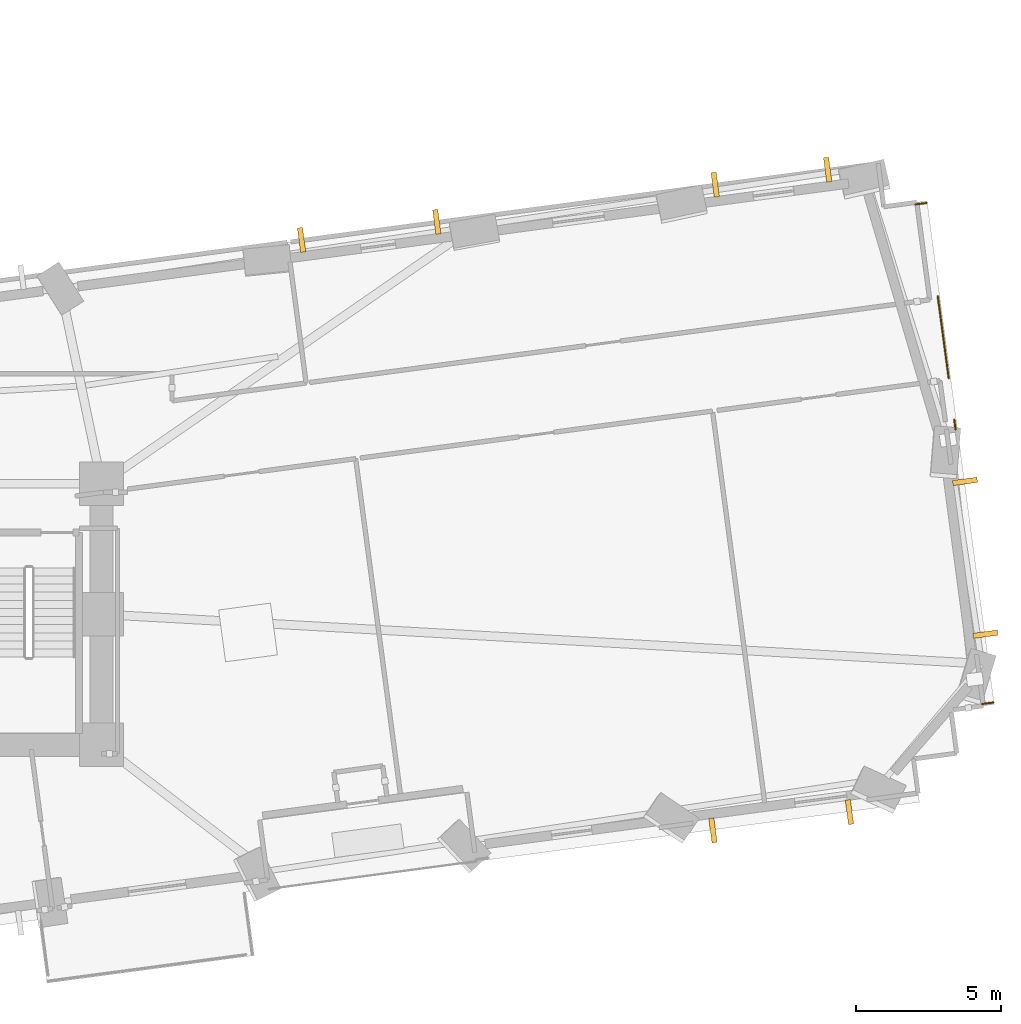
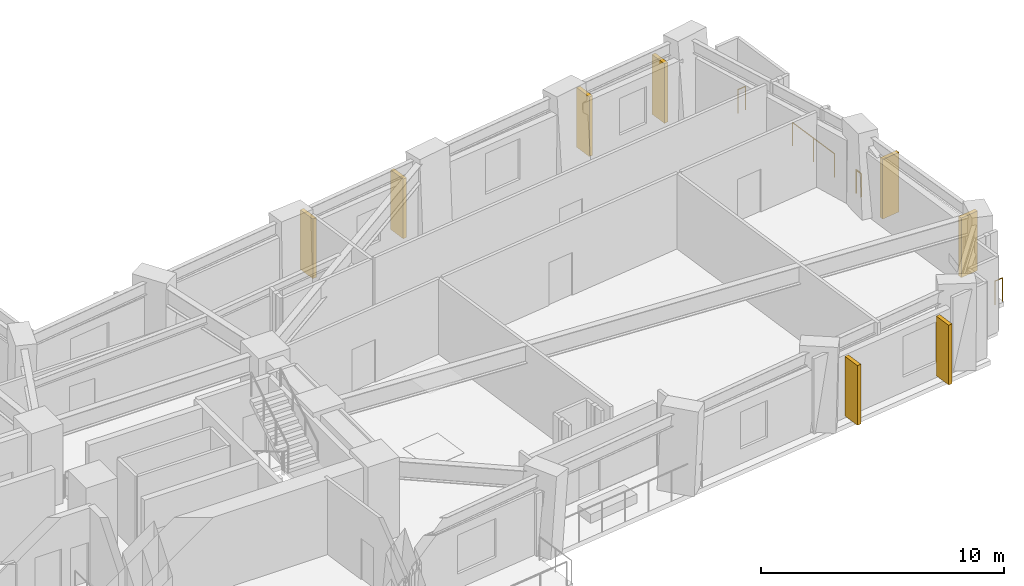
# One storey, part 13 of 14: 8 shading devices, 4 railings.
"""IFC4 building model written with IfcOpenShell, lengths in metres."""

from ifc_helpers import new_model, si_unit, direction, frame, origin, origin_2d, place, context, subcontext, project, spatial, rectangle, circle, extrude, material, layer, layer_set, type_object, element, save


model = new_model("IFC4")

# Units and contexts
model_context = context("Model", 3, precision=1e-05, world=origin(), true_north=direction((0.0, 1.0)))
body_context = subcontext(model_context, "Body", "Model", "MODEL_VIEW")
ifc_project = project(units=[si_unit("LENGTHUNIT", "METRE"), si_unit("AREAUNIT", "SQUARE_METRE"), si_unit("VOLUMEUNIT", "CUBIC_METRE"), si_unit("PLANEANGLEUNIT", "RADIAN"), si_unit("MASSUNIT", "GRAM", prefix="KILO")], contexts=[model_context])

# Site, building, storey
site_placement = place(None, origin())
site = spatial("IfcSite", under=ifc_project, at=site_placement, CompositionType="ELEMENT")
building_placement = place(site_placement, origin())
building = spatial("IfcBuilding", under=site, at=building_placement, Name="Gaonmaruhae Medical Tower", CompositionType="ELEMENT")
storey_placement = place(building_placement, frame((0.0, 0.0, 55.0)))
storey = spatial("IfcBuildingStorey", under=building, at=storey_placement, Name="L12", CompositionType="ELEMENT", Elevation=55.0)

# Railings
ifc_material_1 = material(Name="Stainless steel 316L and laminated safety glass", Category="steel")
ifc_layer = layer(ifc_material_1, 0.080078125)
ifc_layer_set = layer_set([ifc_layer], Name="Stainless steel 316L and laminated safety glass")
railing_type = type_object("IfcRailingType", Name="GD-120 Outdoor Terrace Safety Glass & Steel Balustrade", PredefinedType="BALUSTRADE", material=ifc_layer_set)
railing_1_placement = place(storey_placement, frame((63.63671875, 26.416748046875, 0.0)))
element("IfcRailing", 1, at=railing_1_placement, inside=storey, type_object=railing_type, Name="L12 Perimeter Slab Edge Safety Balustrade 03", PredefinedType="BALUSTRADE", context=body_context, shape_type="SweptSolid", body=[
    extrude(circle(Radius=0.02392578125, at=origin_2d()), frame((0.0, 0.0, 1.17578125), z_axis=(0.991222479082, 0.132204375732, 0.0), x_axis=(-0.132204375732, 0.991222479082, 0.0)), (0.0, 0.0, 1.0), 0.393310546875),
    extrude(circle(Radius=0.02099609375, at=origin_2d()), origin(), (0.0, 0.0, 1.0), 1.15185546875),
    extrude(circle(Radius=0.02099609375, at=origin_2d()), frame((0.389892578125, 0.052001953125, 0.0)), (0.0, 0.0, 1.0), 1.15185546875),
])
railing_2_placement = place(storey_placement, frame((64.406005859375, 23.247802734375, 0.0)))
element("IfcRailing", 2, at=railing_2_placement, inside=storey, type_object=railing_type, Name="L12 Perimeter Slab Edge Safety Balustrade 04", PredefinedType="BALUSTRADE", context=body_context, shape_type="SweptSolid", body=[
    extrude(circle(Radius=0.02392578125, at=origin_2d()), frame((0.0, 0.0, 1.17578125), z_axis=(0.132191888084, -0.991224144543, 0.0), x_axis=(0.991224144543, 0.132191888084, 0.0)), (0.0, 0.0, 1.0), 2.838623046875),
    extrude(circle(Radius=0.02099609375, at=origin_2d()), origin(), (0.0, 0.0, 1.0), 1.15185546875),
    extrude(circle(Radius=0.02099609375, at=origin_2d()), frame((0.1875, -1.40673828125, 0.0)), (0.0, 0.0, 1.0), 1.15185546875),
    extrude(circle(Radius=0.02099609375, at=origin_2d()), frame((0.375244140625, -2.813720703125, 0.0)), (0.0, 0.0, 1.0), 1.15185546875),
])
railing_3_placement = place(storey_placement, frame((64.97265625, 18.999755859375, 0.0)))
element("IfcRailing", 3, at=railing_3_placement, inside=storey, type_object=railing_type, Name="L12 Perimeter Slab Edge Safety Balustrade 05", PredefinedType="BALUSTRADE", context=body_context, shape_type="SweptSolid", body=[
    extrude(circle(Radius=0.02392578125, at=origin_2d()), frame((0.0, 0.0, 1.17578125), z_axis=(0.132635875719, -0.991164832141, 0.0), x_axis=(0.991164832141, 0.132635875719, 0.0)), (0.0, 0.0, 1.0), 0.338623046875),
    extrude(circle(Radius=0.02099609375, at=origin_2d()), origin(), (0.0, 0.0, 1.0), 1.15185546875),
    extrude(circle(Radius=0.02099609375, at=origin_2d()), frame((0.044921875, -0.335693359375, 0.0)), (0.0, 0.0, 1.0), 1.15185546875),
])
railing_4_placement = place(storey_placement, frame((66.322509765625, 9.26123046875, 0.0)))
element("IfcRailing", 4, at=railing_4_placement, inside=storey, type_object=railing_type, Name="L12 Perimeter Slab Edge Safety Balustrade 06", PredefinedType="BALUSTRADE", context=body_context, shape_type="SweptSolid", body=[
    extrude(circle(Radius=0.02392578125, at=origin_2d()), frame((0.0, 0.0, 1.17578125), z_axis=(-0.991222479082, -0.132204375732, 0.0), x_axis=(0.132204375732, -0.991222479082, 0.0)), (0.0, 0.0, 1.0), 0.393310546875),
    extrude(circle(Radius=0.02099609375, at=origin_2d()), origin(), (0.0, 0.0, 1.0), 1.15185546875),
    extrude(circle(Radius=0.02099609375, at=origin_2d()), frame((-0.389892578125, -0.052001953125, 0.0)), (0.0, 0.0, 1.0), 1.15185546875),
])

# Shading devices
ifc_material_2 = material(Name="Pigmented coral precast concrete C45/55", Category="concrete")
shading_device_type = type_object("IfcShadingDeviceType", Name="SD-FIN1 Tower Vertical Coral Precast Shading Fin", PredefinedType="USERDEFINED", material=ifc_material_2)
for number, where, z_axis, x_axis, name in (
    (5, (61.363037109375, 5.4873046875, 0.08251953125), (0.0, 0.0, 1.0), (-0.991215540252, -0.132256390257, 0.0), "L12 Vertical Coral Precast Shading Fin S07"),
    (6, (56.66015625, 4.859619140625, 0.08251953125), (0.0, 0.0, 1.0), (-0.991215540252, -0.132256390257, 0.0), "L12 Vertical Coral Precast Shading Fin S07B"),
    (7, (65.341796875, 16.87548828125, 0.08251953125), (0.0, 0.0, 1.0), (0.132256390257, -0.991215540252, 0.0), "L12 Vertical Coral Precast Shading Fin E01"),
    (8, (66.044189453125, 11.61181640625, 0.08251953125), (0.0, 0.0, 1.0), (0.132256390257, -0.991215540252, 0.0), "L12 Vertical Coral Precast Shading Fin E01B"),
    (9, (56.7392578125, 27.095458984375, 0.08251953125), (0.0, 0.0, 1.0), (0.991215540252, 0.132256390257, 0.0), "L12 Vertical Coral Precast Shading Fin E03"),
    (10, (60.614013671875, 27.612548828125, 0.08251953125), (0.0, 0.0, 1.0), (0.991215540252, 0.132256390257, 0.0), "L12 Vertical Coral Precast Shading Fin E03B"),
    (11, (42.4912109375, 25.1943359375, 0.08251953125), (0.0, 0.0, 1.0), (0.991215540252, 0.132256390257, 0.0), "L12 Vertical Coral Precast Shading Fin EN02"),
    (12, (47.1494140625, 25.81591796875, 0.08251953125), (0.0, 0.0, 1.0), (0.991215540252, 0.132256390257, 0.0), "L12 Vertical Coral Precast Shading Fin EN02B"),
):
    element("IfcShadingDevice", number, at=place(storey_placement, frame(where, z_axis=z_axis, x_axis=x_axis)), inside=storey, type_object=shading_device_type, Name=name, ObjectType="FIN", PredefinedType="USERDEFINED", context=body_context, shape_type="SweptSolid", body=[
        extrude(rectangle(XDim=0.179931640625, YDim=0.85009765625, at=origin_2d()), origin(), (0.0, 0.0, 1.0), 3.0),
    ])

save(model, "model.ifc")
